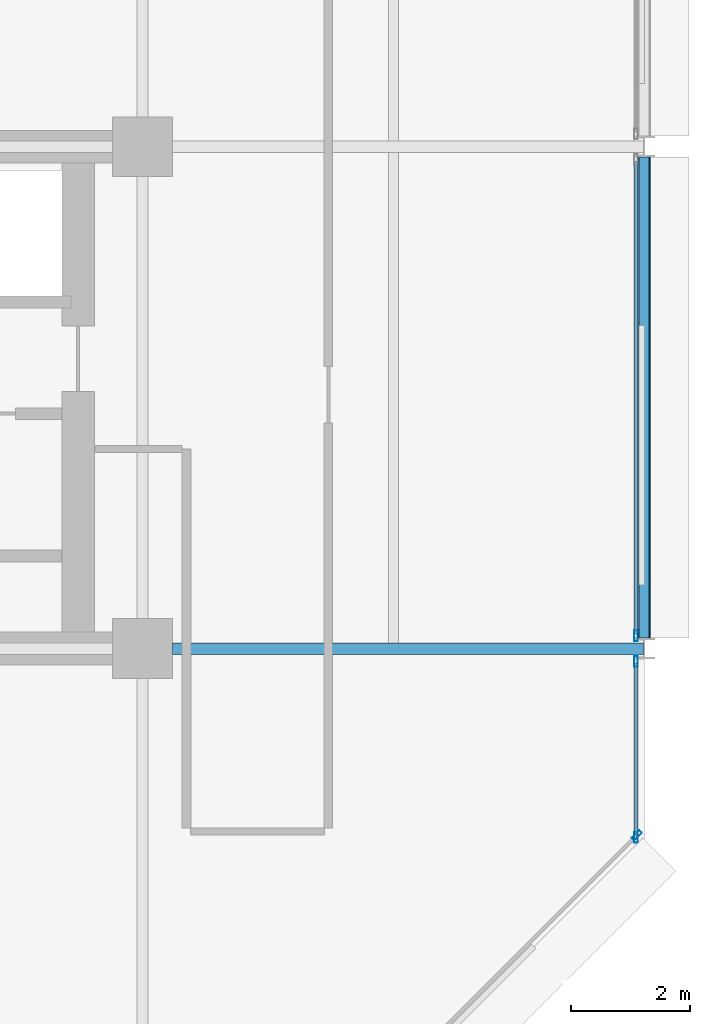
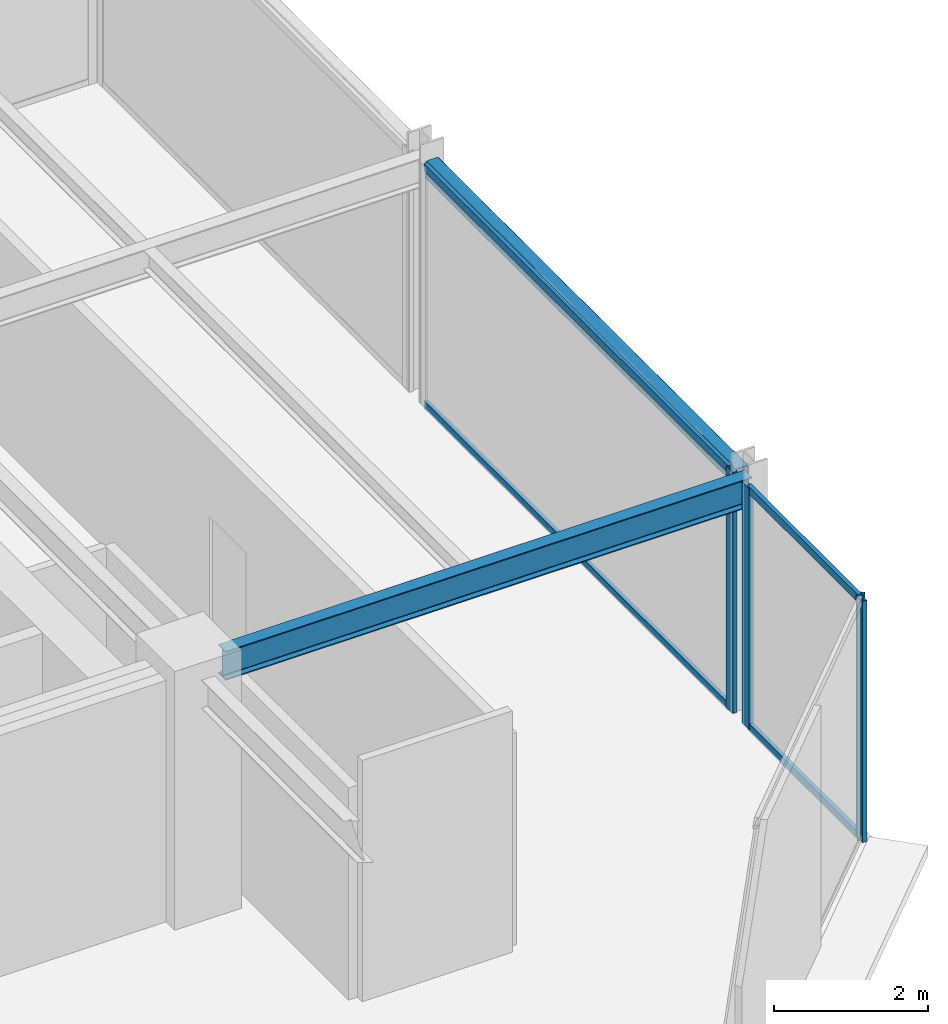
# One storey, part 13 of 29: 8 members, 2 beams, 3 elements without a shape of their own.
"""IFC4 building model written with IfcOpenShell, lengths in metres."""

from ifc_helpers import new_model, si_unit, direction, frame, origin, origin_2d, place, context, subcontext, project, spatial, hollow_rectangle, i_section, extrude, material, layer, layer_set, material_profile, profile_set, type_object, element, aggregate, save


model = new_model("IFC4")

# Units and contexts
model_context = context("Model", 3, precision=1e-05, world=origin(), true_north=direction((0.0, 1.0)))
body_context = subcontext(model_context, "Body", "Model", "MODEL_VIEW")
ifc_project = project(units=[si_unit("LENGTHUNIT", "METRE"), si_unit("AREAUNIT", "SQUARE_METRE"), si_unit("VOLUMEUNIT", "CUBIC_METRE"), si_unit("PLANEANGLEUNIT", "RADIAN"), si_unit("MASSUNIT", "GRAM", prefix="KILO")], contexts=[model_context])

# Site, building, storey
site_placement = place(None, origin())
site = spatial("IfcSite", under=ifc_project, at=site_placement, CompositionType="ELEMENT")
building_placement = place(site_placement, origin())
building = spatial("IfcBuilding", under=site, at=building_placement, Name="Nerrivon Quay Data Exchange", CompositionType="ELEMENT")
storey_placement = place(building_placement, frame((0.0, 0.0, 191.89990234375)))
storey = spatial("IfcBuildingStorey", under=building, at=storey_placement, Name="L45", CompositionType="ELEMENT", Elevation=191.89990234375)

# Beams
ifc_material_1 = material(Name="Steel Grade 350", Category="steel")
ifc_material_profile_1 = material_profile(ifc_material_1, i_section(OverallWidth=0.19091796875, OverallDepth=0.4599609375, WebThickness=0.010009765625, FlangeThickness=0.01611328125, FilletRadius=0.011474609375, at=origin_2d()), Name="460UB82.1")
ifc_profile_set_1 = profile_set([ifc_material_profile_1], Name="Steel Grade 350")
beam_type_1 = type_object("IfcBeamType", Name="BM-G5-460UB82", PredefinedType="BEAM", material=ifc_profile_set_1)
beam_1_placement = place(storey_placement, frame((34.10009765625, 8.39990234375, 3.59521484375), z_axis=(1.0, 0.0, 0.0), x_axis=(0.0, 1.0, 0.0)))
element("IfcBeam", 1, at=beam_1_placement, inside=storey, type_object=beam_type_1, Name="L45 EW Girder Y=8.4 (33.6..42.0)", PredefinedType="BEAM", context=body_context, shape_type="SweptSolid", body=[
    extrude(i_section(OverallWidth=0.19091796875, OverallDepth=0.4599609375, WebThickness=0.010009765625, FlangeThickness=0.01611328125, FilletRadius=0.011474609375, at=origin_2d()), origin(), (0.0, 0.0, 1.0), 7.889892578125),
])
ifc_material_2 = material(Name="Steel Grade C350L0 (350 MPa)", Category="steel")
ifc_material_profile_2 = material_profile(ifc_material_2, hollow_rectangle(XDim=0.199951171875, YDim=0.300048828125, WallThickness=0.012451171875, InnerFilletRadius=0.018798828125, OuterFilletRadius=0.03125, at=origin_2d()), Name="300x200x12.5RHS")
ifc_profile_set_2 = profile_set([ifc_material_profile_2], Name="Steel Grade C350L0 (350 MPa)")
beam_type_2 = type_object("IfcBeamType", Name="BM-SP3-300x200RHS", PredefinedType="SPANDREL", material=ifc_profile_set_2)
beam_2_placement = place(storey_placement, frame((42.0, 8.574951171875, 3.675048828125), z_axis=(0.0, 1.0, 0.0), x_axis=(-1.0, 0.0, 0.0)))
element("IfcBeam", 2, at=beam_2_placement, inside=storey, type_object=beam_type_2, Name="L45 NS Girder X=42.0 (8.4..16.8)", PredefinedType="SPANDREL", context=body_context, shape_type="SweptSolid", body=[
    extrude(hollow_rectangle(XDim=0.199951171875, YDim=0.300048828125, WallThickness=0.012451171875, InnerFilletRadius=0.018798828125, OuterFilletRadius=0.03125, at=origin_2d()), origin(), (0.0, 0.0, 1.0), 8.050048828125),
])

# Curtain wall, member
ifc_material_3 = material(Name="Anodised aluminium 6063-T6", Category="aluminium")
ifc_layer = layer(ifc_material_3, 0.195068359375)
ifc_layer_set = layer_set([ifc_layer], Name="Anodised aluminium 6063-T6")
curtain_wall_type = type_object("IfcCurtainWallType", Name="CW-SYS-06", PredefinedType="NOTDEFINED", material=ifc_layer_set)
curtain_wall_1_placement = place(storey_placement, origin())
curtain_wall_1 = element("IfcCurtainWall", 3, at=curtain_wall_1_placement, inside=storey, type_object=curtain_wall_type, Name="L45 Unitised Curtain Wall 19", PredefinedType="NOTDEFINED")
ifc_material_profile_3 = material_profile(ifc_material_3, hollow_rectangle(XDim=0.06494140625, YDim=0.179931640625, WallThickness=0.00341796875, at=origin_2d()), Name="ALU-MULL-180x65")
ifc_profile_set_3 = profile_set([ifc_material_profile_3], Name="Anodised aluminium 6063-T6")
member_type_1 = type_object("IfcMemberType", Name="CWM-180x65", PredefinedType="MULLION", material=ifc_profile_set_3)
member_1_placement = place(storey_placement, frame((41.860107421875, 8.612548828125, 0.0), z_axis=(0.0, 0.0, 1.0), x_axis=(1.0, 0.0, 0.0)))
member_1 = element("IfcMember", 4, at=member_1_placement, type_object=member_type_1, Name="CW06 mullion 2", PredefinedType="MULLION", context=body_context, shape_type="SweptSolid", body=[
    extrude(hollow_rectangle(XDim=0.06494140625, YDim=0.179931640625, WallThickness=0.00341796875, at=origin_2d()), origin(), (0.0, 0.0, 1.0), 3.8251953125),
])

# Curtain wall, members
curtain_wall_2_placement = place(storey_placement, origin())
curtain_wall_2 = element("IfcCurtainWall", 5, at=curtain_wall_2_placement, inside=storey, type_object=curtain_wall_type, Name="L45 Unitised Curtain Wall 20", PredefinedType="NOTDEFINED")
member_2_placement = place(storey_placement, frame((41.860107421875, 8.1875, 0.0), z_axis=(0.0, 0.0, 1.0), x_axis=(1.0, 0.0, 0.0)))
member_2 = element("IfcMember", 6, at=member_2_placement, type_object=member_type_1, Name="CW06 mullion 1", PredefinedType="MULLION", context=body_context, shape_type="SweptSolid", body=[
    extrude(hollow_rectangle(XDim=0.06494140625, YDim=0.179931640625, WallThickness=0.00341796875, at=origin_2d()), origin(), (0.0, 0.0, 1.0), 3.8251953125),
])
member_3_placement = place(storey_placement, frame((41.860107421875, 5.237548828125, 0.0), z_axis=(0.0, 0.0, 1.0), x_axis=(1.0, 0.0, 0.0)))
member_3 = element("IfcMember", 7, at=member_3_placement, type_object=member_type_1, Name="CW06 mullion 2", PredefinedType="MULLION", context=body_context, shape_type="SweptSolid", body=[
    extrude(hollow_rectangle(XDim=0.06494140625, YDim=0.179931640625, WallThickness=0.00341796875, at=origin_2d()), origin(), (0.0, 0.0, 1.0), 3.8251953125),
])

# Curtain wall, member
curtain_wall_3_placement = place(storey_placement, origin())
curtain_wall_3 = element("IfcCurtainWall", 8, at=curtain_wall_3_placement, inside=storey, type_object=curtain_wall_type, Name="L45 Unitised Curtain Wall 21", PredefinedType="NOTDEFINED")
member_4_placement = place(storey_placement, frame((41.87451171875, 5.2724609375, 0.0), z_axis=(0.0, 0.0, 1.0), x_axis=(0.707106781187, -0.707106781187, 0.0)))
member_4 = element("IfcMember", 9, at=member_4_placement, type_object=member_type_1, Name="CW06 mullion 1", PredefinedType="MULLION", context=body_context, shape_type="SweptSolid", body=[
    extrude(hollow_rectangle(XDim=0.06494140625, YDim=0.179931640625, WallThickness=0.00341796875, at=origin_2d()), origin(), (0.0, 0.0, 1.0), 3.8251953125),
])
aggregate(curtain_wall_3, [member_4])

# Member
ifc_material_profile_4 = material_profile(ifc_material_3, hollow_rectangle(XDim=0.06005859375, YDim=0.1201171875, WallThickness=0.003173828125, at=origin_2d()), Name="ALU-TRAN-120x60")
ifc_profile_set_4 = profile_set([ifc_material_profile_4], Name="Anodised aluminium 6063-T6")
member_type_2 = type_object("IfcMemberType", Name="CWT-120x60", PredefinedType="USERDEFINED", material=ifc_profile_set_4)
member_5_placement = place(storey_placement, frame((41.860107421875, 16.550048828125, 0.03271484375), z_axis=(0.0, -1.0, 0.0), x_axis=(1.0, 0.0, 0.0)))
member_5 = element("IfcMember", 10, at=member_5_placement, type_object=member_type_2, Name="CW06 transom 1.1", ObjectType="TRANSOM", PredefinedType="USERDEFINED", context=body_context, shape_type="SweptSolid", body=[
    extrude(hollow_rectangle(XDim=0.06005859375, YDim=0.1201171875, WallThickness=0.003173828125, at=origin_2d()), origin(), (0.0, 0.0, 1.0), 7.900146484375),
])

member_6_placement = place(storey_placement, frame((41.860107421875, 16.550048828125, 3.79248046875), z_axis=(0.0, -1.0, 0.0), x_axis=(1.0, 0.0, 0.0)))
member_6 = element("IfcMember", 11, at=member_6_placement, type_object=member_type_2, Name="CW06 transom 1.2", ObjectType="TRANSOM", PredefinedType="USERDEFINED", context=body_context, shape_type="SweptSolid", body=[
    extrude(hollow_rectangle(XDim=0.06005859375, YDim=0.1201171875, WallThickness=0.003173828125, at=origin_2d()), origin(), (0.0, 0.0, 1.0), 7.900146484375),
])

aggregate(curtain_wall_1, [member_1, member_5, member_6])

member_7_placement = place(storey_placement, frame((41.860107421875, 8.14990234375, 0.03271484375), z_axis=(0.0, -1.0, 0.0), x_axis=(1.0, 0.0, 0.0)))
member_7 = element("IfcMember", 12, at=member_7_placement, type_object=member_type_2, Name="CW06 transom 1.1", ObjectType="TRANSOM", PredefinedType="USERDEFINED", context=body_context, shape_type="SweptSolid", body=[
    extrude(hollow_rectangle(XDim=0.06005859375, YDim=0.1201171875, WallThickness=0.003173828125, at=origin_2d()), origin(), (0.0, 0.0, 1.0), 2.875),
])

member_8_placement = place(storey_placement, frame((41.860107421875, 8.14990234375, 3.79248046875), z_axis=(0.0, -1.0, 0.0), x_axis=(1.0, 0.0, 0.0)))
member_8 = element("IfcMember", 13, at=member_8_placement, type_object=member_type_2, Name="CW06 transom 1.2", ObjectType="TRANSOM", PredefinedType="USERDEFINED", context=body_context, shape_type="SweptSolid", body=[
    extrude(hollow_rectangle(XDim=0.06005859375, YDim=0.1201171875, WallThickness=0.003173828125, at=origin_2d()), origin(), (0.0, 0.0, 1.0), 2.875),
])

aggregate(curtain_wall_2, [member_2, member_3, member_7, member_8])

save(model, "model.ifc")
